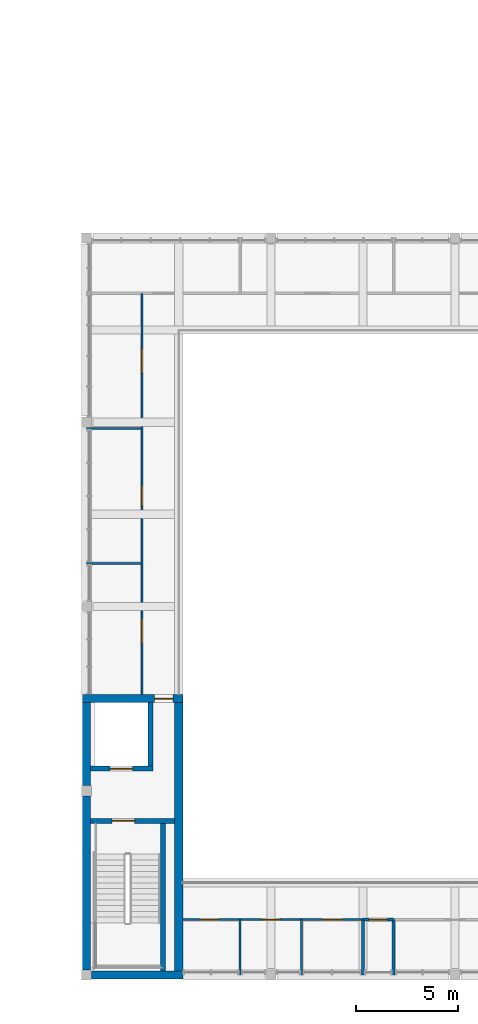
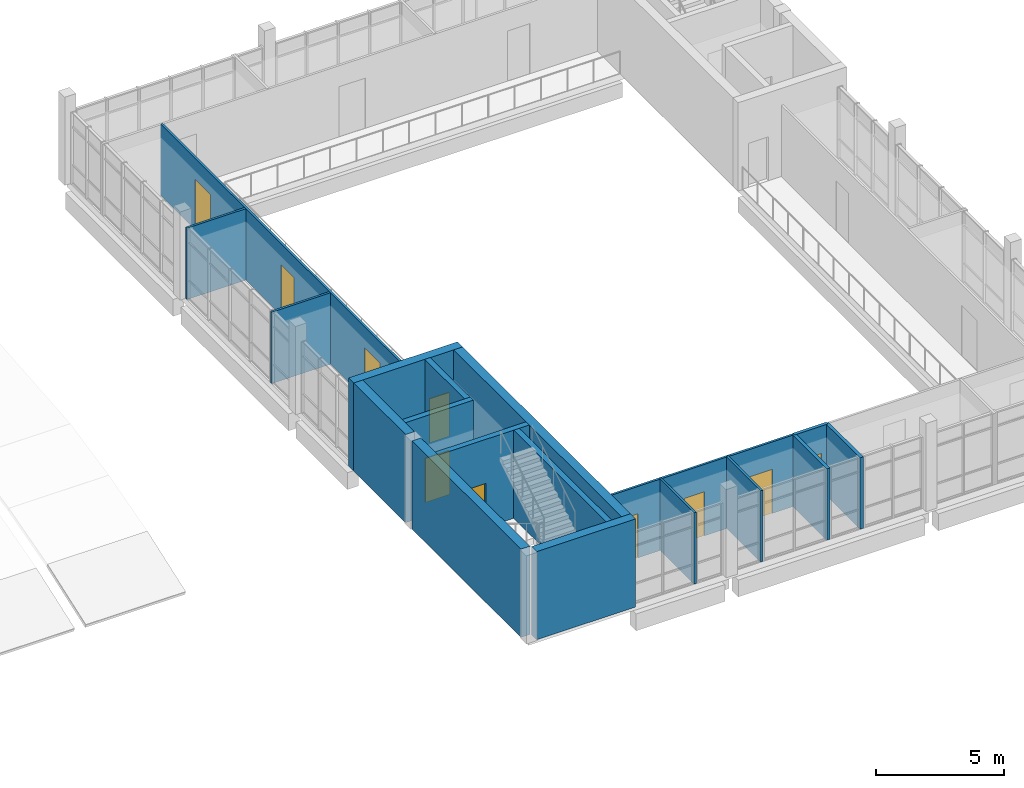
# One storey, part 41 of 74: 18 walls, 10 doors, 10 openings.
"""IFC4 building model written with IfcOpenShell, lengths in metres."""

import ifcopenshell
import ifcopenshell.guid

model = None  # the IFC model being written
_history = None  # IfcOwnerHistory: only IFC2X3 demands one
_inside = {}  # id of a spatial element -> (the spatial element, [elements in it])
_under = {}  # id of a project, library or spatial element -> (it, [spatial elements below it])
_declared = {}  # id of a project -> (the project, [libraries it declares])
_typed = {}  # id of a type object -> (the type object, [elements of that type])
_made_of = {}  # id of a material, layer set ... -> (it, [elements and type objects made of it])


def new_model(schema):
    """Start an empty IFC model of exactly this schema.

    Asked for "IFC4X3", IfcOpenShell would pick the latest addendum, in which some entities
    have other attributes; the version numbers below select the first issue.
    IFC2X3 requires an IfcOwnerHistory on every rooted entity: one is made here for all.
    """
    global model, _history
    if schema == "IFC4X3":
        model = ifcopenshell.file(schema_version=(4, 3, 0, 0))
    else:
        model = ifcopenshell.file(schema=schema)
    _inside.clear()
    _under.clear()
    _declared.clear()
    _typed.clear()
    _made_of.clear()
    _history = None
    if model.schema == "IFC2X3":
        org = make("IfcOrganization", Name="unknown")
        user = make(
            "IfcPersonAndOrganization",
            ThePerson=make("IfcPerson", FamilyName="unknown"),
            TheOrganization=org,
        )
        app = make(
            "IfcApplication",
            ApplicationDeveloper=org,
            Version="unknown",
            ApplicationFullName="unknown",
            ApplicationIdentifier="unknown",
        )
        _history = make(
            "IfcOwnerHistory",
            OwningUser=user,
            OwningApplication=app,
            ChangeAction="ADDED",
            CreationDate=0,
        )
    return model


def make(cls, **values):
    """One entity of the class cls with the attributes given. An attribute that is None is left unset."""
    return model.create_entity(
        cls, **{name: value for name, value in values.items() if value is not None}
    )


def rooted(cls, **values):
    """An entity with a GlobalId (a new one), such as an element, a storey or a relation."""
    return make(cls, GlobalId=ifcopenshell.guid.new(), OwnerHistory=_history, **values)


def si_unit(unit_type, name, prefix=None):
    """IfcSIUnit, for example si_unit("LENGTHUNIT", "METRE", prefix="MILLI")."""
    return make("IfcSIUnit", UnitType=unit_type, Prefix=prefix, Name=name)


def assignment(units):
    """IfcUnitAssignment: the units of a project."""
    return None if units is None else make("IfcUnitAssignment", Units=units)


def point(xyz):
    """IfcCartesianPoint."""
    return None if xyz is None else make("IfcCartesianPoint", Coordinates=xyz)


def direction(xyz):
    """IfcDirection."""
    return None if xyz is None else make("IfcDirection", DirectionRatios=xyz)


def frame(location, z_axis=None, x_axis=None):
    """IfcAxis2Placement3D, a coordinate frame: its origin and axes. An axis left out is left unset."""
    return make(
        "IfcAxis2Placement3D",
        Location=point(location),
        Axis=direction(z_axis),
        RefDirection=direction(x_axis),
    )


def frame_2d(location, x_axis=None):
    """IfcAxis2Placement2D, a coordinate frame in the plane: its origin and x axis."""
    return make(
        "IfcAxis2Placement2D", Location=point(location), RefDirection=direction(x_axis)
    )


def origin():
    """The frame at (0, 0, 0) with its axes left unset."""
    return frame((0.0, 0.0, 0.0))


def place(relative_to, where):
    """IfcLocalPlacement: puts the frame where relative to a parent placement (None: the world)."""
    return make(
        "IfcLocalPlacement", PlacementRelTo=relative_to, RelativePlacement=where
    )


def context(
    kind, dimensions, precision=None, world=None, true_north=None, identifier=None
):
    """IfcGeometricRepresentationContext, for example the 3D "Model" context."""
    return make(
        "IfcGeometricRepresentationContext",
        ContextIdentifier=identifier,
        ContextType=kind,
        CoordinateSpaceDimension=dimensions,
        Precision=precision,
        WorldCoordinateSystem=world,
        TrueNorth=true_north,
    )


def subcontext(parent, identifier, kind, view, scale=None):
    """IfcGeometricRepresentationSubContext, for example "Body" below "Model"."""
    return make(
        "IfcGeometricRepresentationSubContext",
        ContextIdentifier=identifier,
        ContextType=kind,
        ParentContext=parent,
        TargetScale=scale,
        TargetView=view,
    )


def project(units=None, contexts=None):
    """IfcProject with its units and contexts."""
    return rooted(
        "IfcProject",
        Name="project",
        RepresentationContexts=contexts,
        UnitsInContext=assignment(units),
    )


def spatial(cls, under=None, at=None, **own):
    """A site, building, storey or space (cls), placed at a placement, below another one or the project."""
    s = rooted(cls, ObjectPlacement=at, **own)
    if under is not None:
        _under.setdefault(under.id(), (under, []))[1].append(s)
    return s


def profile(cls, at=None, kind="AREA", **sizes):
    """A parametric profile (cls). Its sizes go by their IFC names, for example OverallWidth=200.0."""
    return make(cls, ProfileType=kind, Position=at, **sizes)


def rectangle(**sizes):
    """IfcRectangleProfileDef."""
    return profile("IfcRectangleProfileDef", **sizes)


def extrude(swept, where, along, depth):
    """IfcExtrudedAreaSolid: the profile swept, set in the frame where, extruded along a direction by depth."""
    return make(
        "IfcExtrudedAreaSolid",
        SweptArea=swept,
        Position=where,
        ExtrudedDirection=direction(along),
        Depth=depth,
    )


def shape(context_of_items, identifier, shape_type, items):
    """IfcShapeRepresentation: the items that make up one representation, for example the "Body"."""
    return make(
        "IfcShapeRepresentation",
        ContextOfItems=context_of_items,
        RepresentationIdentifier=identifier,
        RepresentationType=shape_type,
        Items=items,
    )


def material(Name=None, Category=None):
    """IfcMaterial."""
    return make("IfcMaterial", Name=Name, Category=Category)


def layer(
    of_material, thickness, ventilated=None, Name=None, Category=None, Priority=None
):
    """IfcMaterialLayer: one layer of a wall or slab, of a material (None: an air gap)."""
    return make(
        "IfcMaterialLayer",
        Material=of_material,
        LayerThickness=thickness,
        IsVentilated=ventilated,
        Name=Name,
        Category=Category,
        Priority=Priority,
    )


def layer_set(layers, Name=None):
    """IfcMaterialLayerSet."""
    return make("IfcMaterialLayerSet", MaterialLayers=layers, LayerSetName=Name)


def made_of(thing, what):
    """Note that an element or type object is made of a material, layer set ...; save() writes the relation."""
    if what is not None:
        _made_of.setdefault(what.id(), (what, []))[1].append(thing)
    return thing


def type_object(cls, material=None, **own):
    """A type object (cls), such as IfcWallType, which elements share."""
    return made_of(rooted(cls, **own), material)


def element(
    cls,
    number,
    at=None,
    inside=None,
    cuts=None,
    type_object=None,
    material=None,
    context=None,
    identifier="Body",
    shape_type=None,
    held_by="IfcProductDefinitionShape",
    body=None,
    shapes=None,
    **own,
):
    """One element of the class cls, such as IfcWall. Its Tag is "e" and its number.

    at: its placement. inside: the storey or other place that contains it. cuts: it is an
    opening in that element (IfcRelVoidsElement). A single representation is given by context,
    identifier, shape_type and body (its items); several are given by shapes. held_by: the class
    of the entity that holds the representations. save() writes the other relations.
    """
    e = rooted(cls, Tag="e%d" % number, ObjectPlacement=at, **own)
    if body is not None:
        shapes = [shape(context, identifier, shape_type, body)]
    if shapes is not None:
        e.Representation = make(held_by, Representations=shapes)
    if inside is not None:
        _inside.setdefault(inside.id(), (inside, []))[1].append(e)
    if cuts is not None:
        rooted(
            "IfcRelVoidsElement", RelatingBuildingElement=cuts, RelatedOpeningElement=e
        )
    if type_object is not None:
        _typed.setdefault(type_object.id(), (type_object, []))[1].append(e)
    return made_of(e, material)


def fill(opening, filler):
    """IfcRelFillsElement: the door or window that sits in an opening."""
    return rooted(
        "IfcRelFillsElement",
        RelatingOpeningElement=opening,
        RelatedBuildingElement=filler,
    )


def aggregate(whole, parts):
    """IfcRelAggregates: a whole, such as a stair, and the parts it consists of."""
    return rooted("IfcRelAggregates", RelatingObject=whole, RelatedObjects=parts)


def save(model, path):
    """Write the relations noted so far, then the file.

    IfcRelAggregates (storeys below a building ...), IfcRelContainedInSpatialStructure (elements
    in a storey), IfcRelDefinesByType, IfcRelAssociatesMaterial and IfcRelDeclares: one each for
    every whole, place, type object, material and project.
    """
    for whole, parts in _under.values():
        aggregate(whole, parts)
    for where, things in _inside.values():
        rooted(
            "IfcRelContainedInSpatialStructure",
            RelatedElements=things,
            RelatingStructure=where,
        )
    for kind, things in _typed.values():
        rooted("IfcRelDefinesByType", RelatedObjects=things, RelatingType=kind)
    for what, things in _made_of.values():
        rooted("IfcRelAssociatesMaterial", RelatedObjects=things, RelatingMaterial=what)
    for by, libraries in _declared.values():
        rooted("IfcRelDeclares", RelatingContext=by, RelatedDefinitions=libraries)
    model.write(path)


model = new_model("IFC4")

# Units and contexts
model_context = context("Model", 3, precision=1e-05, world=origin(), true_north=direction((0.0, 1.0)))
body_context = subcontext(model_context, "Body", "Model", "MODEL_VIEW")
ifc_project = project(units=[si_unit("LENGTHUNIT", "METRE"), si_unit("AREAUNIT", "SQUARE_METRE"), si_unit("VOLUMEUNIT", "CUBIC_METRE"), si_unit("PLANEANGLEUNIT", "RADIAN"), si_unit("MASSUNIT", "GRAM", prefix="KILO")], contexts=[model_context])

# Site, building, storey
site_placement = place(None, origin())
site = spatial("IfcSite", under=ifc_project, at=site_placement, CompositionType="ELEMENT")
building_placement = place(site_placement, origin())
building = spatial("IfcBuilding", under=site, at=building_placement, Name="Merrow Basin Faculty of Sciences", CompositionType="ELEMENT")
storey_placement = place(building_placement, frame((0.0, 0.0, 13.5)))
storey = spatial("IfcBuildingStorey", under=building, at=storey_placement, Name="L03", CompositionType="ELEMENT", Elevation=13.5)

# Wall, openings, doors
ifc_material_1 = material(Name="Gypsum board")
ifc_layer_1 = layer(ifc_material_1, 0.10009765625)
ifc_layer_set_1 = layer_set([ifc_layer_1], Name="Partition 100 gypsum board on steel studs")
wall_type_1 = type_object("IfcWallType", Name="Partition 100 gypsum board on steel studs", PredefinedType="PARTITIONING", material=ifc_layer_set_1)
wall_1_placement = place(storey_placement, frame((47.699951171875, 13.699951171875, 0.0), z_axis=(0.0, 0.0, 1.0), x_axis=(0.0, 1.0, 0.0)))
wall_1 = element("IfcWall", 1, at=wall_1_placement, inside=storey, type_object=wall_type_1, Name="IW100 L03 007", PredefinedType="PARTITIONING", context=body_context, shape_type="SweptSolid", body=[
    extrude(rectangle(XDim=19.60009765625, YDim=0.10009765625, at=frame_2d((9.800048828125, 0.0))), origin(), (0.0, 0.0, 1.0), 3.39990234375),
])
opening_1_placement = place(wall_1_placement, frame((2.5, 0.0, 0.0)))
opening_1 = element("IfcOpeningElement", 2, at=opening_1_placement, cuts=wall_1, Name="Opening D03A016", PredefinedType="OPENING", context=body_context, shape_type="SweptSolid", body=[
    extrude(rectangle(XDim=1.199951171875, YDim=2.39990234375, at=frame_2d((0.60009765625, 1.199951171875))), frame((0.0, 0.06005859375, 0.0), z_axis=(0.0, -1.0, 0.0), x_axis=(1.0, 0.0, 0.0)), (0.0, 0.0, 1.0), 0.1201171875),
])
opening_2_placement = place(wall_1_placement, frame((9.199951171875, 0.0, 0.0)))
opening_2 = element("IfcOpeningElement", 3, at=opening_2_placement, cuts=wall_1, Name="Opening D03A017", PredefinedType="OPENING", context=body_context, shape_type="SweptSolid", body=[
    extrude(rectangle(XDim=1.0, YDim=2.39990234375, at=frame_2d((0.5, 1.199951171875))), frame((0.0, 0.06005859375, 0.0), z_axis=(0.0, -1.0, 0.0), x_axis=(1.0, 0.0, 0.0)), (0.0, 0.0, 1.0), 0.1201171875),
])
opening_3_placement = place(wall_1_placement, frame((15.699951171875, 0.0, 0.0)))
opening_3 = element("IfcOpeningElement", 4, at=opening_3_placement, cuts=wall_1, Name="Opening D03A018", PredefinedType="OPENING", context=body_context, shape_type="SweptSolid", body=[
    extrude(rectangle(XDim=1.199951171875, YDim=2.39990234375, at=frame_2d((0.60009765625, 1.199951171875))), frame((0.0, 0.06005859375, 0.0), z_axis=(0.0, -1.0, 0.0), x_axis=(1.0, 0.0, 0.0)), (0.0, 0.0, 1.0), 0.1201171875),
])
ifc_material_2 = material(Name="Glazed aluminium door", Category="aluminium")
door_type_1 = type_object("IfcDoorType", Name="Glazed single door 1000 x 2400", OperationType="NOTDEFINED", PredefinedType="DOOR", material=ifc_material_2)
door_1_placement = place(opening_2_placement, origin())
door_1 = element("IfcDoor", 5, at=door_1_placement, inside=storey, type_object=door_type_1, Name="Door D03A017", OperationType="SINGLE_SWING_LEFT", OverallHeight=2.39990234375, OverallWidth=1.0, PredefinedType="DOOR", context=body_context, shape_type="SweptSolid", body=[
    extrude(rectangle(XDim=1.0, YDim=2.39990234375, at=frame_2d((0.5, 1.199951171875))), frame((0.0, 0.02490234375, 0.0), z_axis=(0.0, -1.0, 0.0), x_axis=(1.0, 0.0, 0.0)), (0.0, 0.0, 1.0), 0.050048828125),
])
fill(opening_2, door_1)
ifc_material_3 = material(Name="Glazed aluminium door", Category="aluminium")
door_type_2 = type_object("IfcDoorType", Name="Glazed single door 1200 x 2400", OperationType="NOTDEFINED", PredefinedType="DOOR", material=ifc_material_3)
door_2_placement = place(opening_1_placement, origin())
door_2 = element("IfcDoor", 6, at=door_2_placement, inside=storey, type_object=door_type_2, Name="Door D03A016", OperationType="SINGLE_SWING_LEFT", OverallHeight=2.39990234375, OverallWidth=1.199951171875, PredefinedType="DOOR", context=body_context, shape_type="SweptSolid", body=[
    extrude(rectangle(XDim=1.199951171875, YDim=2.39990234375, at=frame_2d((0.60009765625, 1.199951171875))), frame((0.0, 0.02490234375, 0.0), z_axis=(0.0, -1.0, 0.0), x_axis=(1.0, 0.0, 0.0)), (0.0, 0.0, 1.0), 0.050048828125),
])
fill(opening_1, door_2)
door_3_placement = place(opening_3_placement, origin())
door_3 = element("IfcDoor", 7, at=door_3_placement, inside=storey, type_object=door_type_2, Name="Door D03A018", OperationType="SINGLE_SWING_LEFT", OverallHeight=2.39990234375, OverallWidth=1.199951171875, PredefinedType="DOOR", context=body_context, shape_type="SweptSolid", body=[
    extrude(rectangle(XDim=1.199951171875, YDim=2.39990234375, at=frame_2d((0.60009765625, 1.199951171875))), frame((0.0, 0.02490234375, 0.0), z_axis=(0.0, -1.0, 0.0), x_axis=(1.0, 0.0, 0.0)), (0.0, 0.0, 1.0), 0.050048828125),
])
fill(opening_3, door_3)

# Walls
for number, where, z_axis, x_axis, name in (
    (8, (45.0, 20.10009765625, 0.0), (0.0, 0.0, 1.0), (1.0, 0.0, 0.0), "IW100 L03 014"),
    (9, (45.0, 26.699951171875, 0.0), (0.0, 0.0, 1.0), (1.0, 0.0, 0.0), "IW100 L03 015"),
):
    element("IfcWall", number, at=place(storey_placement, frame(where, z_axis=z_axis, x_axis=x_axis)), inside=storey, type_object=wall_type_1, Name=name, PredefinedType="PARTITIONING", context=body_context, shape_type="SweptSolid", body=[
        extrude(rectangle(XDim=2.64990234375, YDim=0.10009765625, at=frame_2d((1.324951171875, 0.0))), origin(), (0.0, 0.0, 1.0), 3.39990234375),
    ])
ifc_material_4 = material(Name="Moisture-resistant gypsum board")
ifc_layer_2 = layer(ifc_material_4, 0.10009765625)
ifc_layer_set_2 = layer_set([ifc_layer_2], Name="Partition 100 moisture-resistant board on steel studs")
wall_type_2 = type_object("IfcWallType", Name="Partition 100 moisture-resistant board on steel studs", PredefinedType="PARTITIONING", material=ifc_layer_set_2)
for number, where, z_axis, x_axis, name in (
    (10, (52.5, 0.0, 0.0), (0.0, 0.0, 1.0), (0.0, 1.0, 0.0), "IW101 L03 004"),
    (11, (55.5, 0.0, 0.0), (0.0, 0.0, 1.0), (0.0, 1.0, 0.0), "IW101 L03 005"),
):
    element("IfcWall", number, at=place(storey_placement, frame(where, z_axis=z_axis, x_axis=x_axis)), inside=storey, type_object=wall_type_2, Name=name, PredefinedType="PARTITIONING", context=body_context, shape_type="SweptSolid", body=[
        extrude(rectangle(XDim=2.699951171875, YDim=0.10009765625, at=frame_2d((1.35009765625, 0.0))), origin(), (0.0, 0.0, 1.0), 3.39990234375),
    ])

# Wall, openings, doors
wall_2_placement = place(storey_placement, frame((49.699951171875, 2.699951171875, 0.0), z_axis=(0.0, 0.0, 1.0), x_axis=(1.0, 0.0, 0.0)))
wall_2 = element("IfcWall", 12, at=wall_2_placement, inside=storey, type_object=wall_type_2, Name="IW101 L03 006", PredefinedType="PARTITIONING", context=body_context, shape_type="SweptSolid", body=[
    extrude(rectangle(XDim=8.800048828125, YDim=0.10009765625, at=frame_2d((4.39990234375, 0.0))), origin(), (0.0, 0.0, 1.0), 3.39990234375),
])
opening_4_placement = place(wall_2_placement, frame((0.85009765625, 0.0, 0.0)))
opening_4 = element("IfcOpeningElement", 13, at=opening_4_placement, cuts=wall_2, Name="Opening D03A005", PredefinedType="OPENING", context=body_context, shape_type="SweptSolid", body=[
    extrude(rectangle(XDim=0.89990234375, YDim=2.10009765625, at=frame_2d((0.449951171875, 1.050048828125))), frame((0.0, 0.06005859375, 0.0), z_axis=(0.0, -1.0, 0.0), x_axis=(1.0, 0.0, 0.0)), (0.0, 0.0, 1.0), 0.1201171875),
])
opening_5_placement = place(wall_2_placement, frame((3.85009765625, 0.0, 0.0)))
opening_5 = element("IfcOpeningElement", 14, at=opening_5_placement, cuts=wall_2, Name="Opening D03A006", PredefinedType="OPENING", context=body_context, shape_type="SweptSolid", body=[
    extrude(rectangle(XDim=0.89990234375, YDim=2.10009765625, at=frame_2d((0.449951171875, 1.050048828125))), frame((0.0, 0.06005859375, 0.0), z_axis=(0.0, -1.0, 0.0), x_axis=(1.0, 0.0, 0.0)), (0.0, 0.0, 1.0), 0.1201171875),
])
opening_6_placement = place(wall_2_placement, frame((6.800048828125, 0.0, 0.0)))
opening_6 = element("IfcOpeningElement", 15, at=opening_6_placement, cuts=wall_2, Name="Opening D03A007", PredefinedType="OPENING", context=body_context, shape_type="SweptSolid", body=[
    extrude(rectangle(XDim=1.0, YDim=2.10009765625, at=frame_2d((0.5, 1.050048828125))), frame((0.0, 0.06005859375, 0.0), z_axis=(0.0, -1.0, 0.0), x_axis=(1.0, 0.0, 0.0)), (0.0, 0.0, 1.0), 0.1201171875),
])
ifc_material_5 = material(Name="Timber door leaf", Category="wood")
door_type_3 = type_object("IfcDoorType", Name="Accessible door 1000 x 2100", OperationType="NOTDEFINED", PredefinedType="DOOR", material=ifc_material_5)
door_4_placement = place(opening_6_placement, origin())
door_4 = element("IfcDoor", 16, at=door_4_placement, inside=storey, type_object=door_type_3, Name="Door D03A007", OperationType="SINGLE_SWING_LEFT", OverallHeight=2.10009765625, OverallWidth=1.0, PredefinedType="DOOR", context=body_context, shape_type="SweptSolid", body=[
    extrude(rectangle(XDim=1.0, YDim=2.10009765625, at=frame_2d((0.5, 1.050048828125))), frame((0.0, 0.02490234375, 0.0), z_axis=(0.0, -1.0, 0.0), x_axis=(1.0, 0.0, 0.0)), (0.0, 0.0, 1.0), 0.050048828125),
])
fill(opening_6, door_4)
ifc_material_6 = material(Name="Timber door leaf", Category="wood")
door_type_4 = type_object("IfcDoorType", Name="Single swing door 900 x 2100", OperationType="NOTDEFINED", PredefinedType="DOOR", material=ifc_material_6)
door_5_placement = place(opening_4_placement, origin())
door_5 = element("IfcDoor", 17, at=door_5_placement, inside=storey, type_object=door_type_4, Name="Door D03A005", OperationType="SINGLE_SWING_LEFT", OverallHeight=2.10009765625, OverallWidth=0.89990234375, PredefinedType="DOOR", context=body_context, shape_type="SweptSolid", body=[
    extrude(rectangle(XDim=0.89990234375, YDim=2.10009765625, at=frame_2d((0.449951171875, 1.050048828125))), frame((0.0, 0.02490234375, 0.0), z_axis=(0.0, -1.0, 0.0), x_axis=(1.0, 0.0, 0.0)), (0.0, 0.0, 1.0), 0.050048828125),
])
fill(opening_4, door_5)
door_6_placement = place(opening_5_placement, origin())
door_6 = element("IfcDoor", 18, at=door_6_placement, inside=storey, type_object=door_type_4, Name="Door D03A006", OperationType="SINGLE_SWING_LEFT", OverallHeight=2.10009765625, OverallWidth=0.89990234375, PredefinedType="DOOR", context=body_context, shape_type="SweptSolid", body=[
    extrude(rectangle(XDim=0.89990234375, YDim=2.10009765625, at=frame_2d((0.449951171875, 1.050048828125))), frame((0.0, 0.02490234375, 0.0), z_axis=(0.0, -1.0, 0.0), x_axis=(1.0, 0.0, 0.0)), (0.0, 0.0, 1.0), 0.050048828125),
])
fill(opening_5, door_6)

# Wall, opening, door
ifc_material_7 = material(Name="Concrete C40/50", Category="concrete")
ifc_layer_3 = layer(ifc_material_7, 0.25)
ifc_layer_set_3 = layer_set([ifc_layer_3], Name="Shear wall 250 Concrete C40/50")
wall_type_3 = type_object("IfcWallType", Name="Shear wall 250 Concrete C40/50", PredefinedType="SHEAR", material=ifc_layer_set_3)
wall_3_placement = place(storey_placement, frame((45.199951171875, 7.52490234375, 0.0), z_axis=(0.0, 0.0, 1.0), x_axis=(1.0, 0.0, 0.0)))
wall_3 = element("IfcWall", 19, at=wall_3_placement, inside=storey, type_object=wall_type_3, Name="SW2 L03 006", PredefinedType="SHEAR", context=body_context, shape_type="SweptSolid", body=[
    extrude(rectangle(XDim=4.10009765625, YDim=0.25, at=frame_2d((2.050048828125, 0.0))), origin(), (0.0, 0.0, 1.0), 4.199951171875),
])
opening_7_placement = place(wall_3_placement, frame((1.050048828125, 0.0, 0.0)))
opening_7 = element("IfcOpeningElement", 20, at=opening_7_placement, cuts=wall_3, Name="Opening D03A001", PredefinedType="OPENING", context=body_context, shape_type="SweptSolid", body=[
    extrude(rectangle(XDim=1.10009765625, YDim=2.10009765625, at=frame_2d((0.550048828125, 1.050048828125))), frame((0.0, 0.135009765625, 0.0), z_axis=(0.0, -1.0, 0.0), x_axis=(1.0, 0.0, 0.0)), (0.0, 0.0, 1.0), 0.27001953125),
])
ifc_material_8 = material(Name="Fire-rated steel door", Category="steel")
door_type_5 = type_object("IfcDoorType", Name="Fire door FD90 1100 x 2100", OperationType="NOTDEFINED", PredefinedType="DOOR", material=ifc_material_8)
door_7_placement = place(opening_7_placement, origin())
door_7 = element("IfcDoor", 21, at=door_7_placement, inside=storey, type_object=door_type_5, Name="Door D03A001", OperationType="SINGLE_SWING_LEFT", OverallHeight=2.10009765625, OverallWidth=1.10009765625, PredefinedType="DOOR", context=body_context, shape_type="SweptSolid", body=[
    extrude(rectangle(XDim=1.10009765625, YDim=2.10009765625, at=frame_2d((0.550048828125, 1.050048828125))), frame((0.0, 0.02490234375, 0.0), z_axis=(0.0, -1.0, 0.0), x_axis=(1.0, 0.0, 0.0)), (0.0, 0.0, 1.0), 0.050048828125),
])
fill(opening_7, door_7)

# Wall
wall_4_placement = place(storey_placement, frame((48.72509765625, 0.199951171875, 0.0), z_axis=(0.0, 0.0, 1.0), x_axis=(0.0, 1.0, 0.0)))
element("IfcWall", 22, at=wall_4_placement, inside=storey, type_object=wall_type_3, Name="SW2 L03 007", PredefinedType="SHEAR", context=body_context, shape_type="SweptSolid", body=[
    extrude(rectangle(XDim=7.199951171875, YDim=0.25, at=frame_2d((3.60009765625, 0.0))), origin(), (0.0, 0.0, 1.0), 4.199951171875),
])

# Wall, opening, door
wall_5_placement = place(storey_placement, frame((45.199951171875, 10.074951171875, 0.0), z_axis=(0.0, 0.0, 1.0), x_axis=(1.0, 0.0, 0.0)))
wall_5 = element("IfcWall", 23, at=wall_5_placement, inside=storey, type_object=wall_type_3, Name="SW2 L03 008", PredefinedType="SHEAR", context=body_context, shape_type="SweptSolid", body=[
    extrude(rectangle(XDim=3.050048828125, YDim=0.25, at=frame_2d((1.52490234375, 0.0))), origin(), (0.0, 0.0, 1.0), 4.199951171875),
])
opening_8_placement = place(wall_5_placement, frame((0.949951171875, 0.0, 0.0)))
opening_8 = element("IfcOpeningElement", 24, at=opening_8_placement, cuts=wall_5, Name="Opening LD03A01", PredefinedType="OPENING", context=body_context, shape_type="SweptSolid", body=[
    extrude(rectangle(XDim=1.10009765625, YDim=2.10009765625, at=frame_2d((0.550048828125, 1.050048828125))), frame((0.0, 0.135009765625, 0.0), z_axis=(0.0, -1.0, 0.0), x_axis=(1.0, 0.0, 0.0)), (0.0, 0.0, 1.0), 0.27001953125),
])
ifc_material_9 = material(Name="Stainless steel sliding door", Category="steel")
door_type_6 = type_object("IfcDoorType", Name="Lift landing door 1100 x 2100 sliding", OperationType="NOTDEFINED", PredefinedType="DOOR", material=ifc_material_9)
door_8_placement = place(opening_8_placement, origin())
door_8 = element("IfcDoor", 25, at=door_8_placement, inside=storey, type_object=door_type_6, Name="Landing door LF9 L03", OperationType="SLIDING_TO_LEFT", OverallHeight=2.10009765625, OverallWidth=1.10009765625, PredefinedType="DOOR", context=body_context, shape_type="SweptSolid", body=[
    extrude(rectangle(XDim=1.10009765625, YDim=2.10009765625, at=frame_2d((0.550048828125, 1.050048828125))), frame((0.0, 0.02490234375, 0.0), z_axis=(0.0, -1.0, 0.0), x_axis=(1.0, 0.0, 0.0)), (0.0, 0.0, 1.0), 0.050048828125),
])
fill(opening_8, door_8)

# Walls
wall_6_placement = place(storey_placement, frame((48.125, 10.199951171875, 0.0), z_axis=(0.0, 0.0, 1.0), x_axis=(0.0, 1.0, 0.0)))
element("IfcWall", 26, at=wall_6_placement, inside=storey, type_object=wall_type_3, Name="SW2 L03 009", PredefinedType="SHEAR", context=body_context, shape_type="SweptSolid", body=[
    extrude(rectangle(XDim=3.10009765625, YDim=0.25, at=frame_2d((1.550048828125, 0.0))), origin(), (0.0, 0.0, 1.0), 4.199951171875),
])
ifc_material_10 = material(Name="Concrete C40/50", Category="concrete")
ifc_layer_4 = layer(ifc_material_10, 0.39990234375)
ifc_layer_set_4 = layer_set([ifc_layer_4], Name="Shear wall 400 Concrete C40/50")
wall_type_4 = type_object("IfcWallType", Name="Shear wall 400 Concrete C40/50", PredefinedType="SHEAR", material=ifc_layer_set_4)
wall_7_placement = place(storey_placement, frame((45.25, 0.0, 0.0), z_axis=(0.0, 0.0, 1.0), x_axis=(1.0, 0.0, 0.0)))
element("IfcWall", 27, at=wall_7_placement, inside=storey, type_object=wall_type_4, Name="SW1 L03 001", PredefinedType="SHEAR", context=body_context, shape_type="SweptSolid", body=[
    extrude(rectangle(XDim=4.449951171875, YDim=0.39990234375, at=frame_2d((2.22509765625, 0.0))), origin(), (0.0, 0.0, 1.0), 4.199951171875),
])

# Wall, opening, door
wall_8_placement = place(storey_placement, frame((44.800048828125, 13.5, 0.0), z_axis=(0.0, 0.0, 1.0), x_axis=(1.0, 0.0, 0.0)))
wall_8 = element("IfcWall", 28, at=wall_8_placement, inside=storey, type_object=wall_type_4, Name="SW1 L03 002", PredefinedType="SHEAR", context=body_context, shape_type="SweptSolid", body=[
    extrude(rectangle(XDim=4.89990234375, YDim=0.39990234375, at=frame_2d((2.449951171875, 0.0))), origin(), (0.0, 0.0, 1.0), 4.199951171875),
])
opening_9_placement = place(wall_8_placement, frame((3.52490234375, 0.0, 0.0)))
opening_9 = element("IfcOpeningElement", 29, at=opening_9_placement, cuts=wall_8, Name="Opening D03A002", PredefinedType="OPENING", context=body_context, shape_type="SweptSolid", body=[
    extrude(rectangle(XDim=0.89990234375, YDim=2.10009765625, at=frame_2d((0.449951171875, 1.050048828125))), frame((0.0, 0.2099609375, 0.0), z_axis=(0.0, -1.0, 0.0), x_axis=(1.0, 0.0, 0.0)), (0.0, 0.0, 1.0), 0.419921875),
])
ifc_material_11 = material(Name="Fire-rated steel door", Category="steel")
door_type_7 = type_object("IfcDoorType", Name="Fire door FD60 900 x 2100", OperationType="NOTDEFINED", PredefinedType="DOOR", material=ifc_material_11)
door_9_placement = place(opening_9_placement, origin())
door_9 = element("IfcDoor", 30, at=door_9_placement, inside=storey, type_object=door_type_7, Name="Door D03A002", OperationType="SINGLE_SWING_RIGHT", OverallHeight=2.10009765625, OverallWidth=0.89990234375, PredefinedType="DOOR", context=body_context, shape_type="SweptSolid", body=[
    extrude(rectangle(XDim=0.89990234375, YDim=2.10009765625, at=frame_2d((0.449951171875, 1.050048828125))), frame((0.0, 0.02490234375, 0.0), z_axis=(0.0, -1.0, 0.0), x_axis=(1.0, 0.0, 0.0)), (0.0, 0.0, 1.0), 0.050048828125),
])
fill(opening_9, door_9)

# Walls
wall_9_placement = place(storey_placement, frame((45.0, 0.25, 0.0), z_axis=(0.0, 0.0, 1.0), x_axis=(0.0, 1.0, 0.0)))
element("IfcWall", 31, at=wall_9_placement, inside=storey, type_object=wall_type_4, Name="SW1 L03 003", PredefinedType="SHEAR", context=body_context, shape_type="SweptSolid", body=[
    extrude(rectangle(XDim=8.5, YDim=0.39990234375, at=frame_2d((4.25, 0.0))), origin(), (0.0, 0.0, 1.0), 4.199951171875),
])
wall_10_placement = place(storey_placement, frame((45.0, 9.25, 0.0), z_axis=(0.0, 0.0, 1.0), x_axis=(0.0, 1.0, 0.0)))
element("IfcWall", 32, at=wall_10_placement, inside=storey, type_object=wall_type_4, Name="SW1 L03 004", PredefinedType="SHEAR", context=body_context, shape_type="SweptSolid", body=[
    extrude(rectangle(XDim=4.050048828125, YDim=0.39990234375, at=frame_2d((2.02490234375, 0.0))), origin(), (0.0, 0.0, 1.0), 4.199951171875),
])
wall_11_placement = place(storey_placement, frame((49.5, 0.199951171875, 0.0), z_axis=(0.0, 0.0, 1.0), x_axis=(0.0, 1.0, 0.0)))
element("IfcWall", 33, at=wall_11_placement, inside=storey, type_object=wall_type_4, Name="SW1 L03 005", PredefinedType="SHEAR", context=body_context, shape_type="SweptSolid", body=[
    extrude(rectangle(XDim=13.10009765625, YDim=0.39990234375, at=frame_2d((6.550048828125, 0.0))), origin(), (0.0, 0.0, 1.0), 4.199951171875),
])
ifc_material_12 = material(Name="Fire-rated gypsum board")
ifc_layer_5 = layer(ifc_material_12, 0.14990234375)
ifc_layer_set_5 = layer_set([ifc_layer_5], Name="Store partition 150 fire-rated board on steel studs")
wall_type_5 = type_object("IfcWallType", Name="Store partition 150 fire-rated board on steel studs", PredefinedType="PARTITIONING", material=ifc_layer_set_5)
for number, where, z_axis, x_axis, name in (
    (34, (58.5, 0.0, 0.0), (0.0, 0.0, 1.0), (0.0, 1.0, 0.0), "IW152 L03 001"),
    (35, (60.0, 0.0, 0.0), (0.0, 0.0, 1.0), (0.0, 1.0, 0.0), "IW152 L03 002"),
):
    element("IfcWall", number, at=place(storey_placement, frame(where, z_axis=z_axis, x_axis=x_axis)), inside=storey, type_object=wall_type_5, Name=name, PredefinedType="PARTITIONING", context=body_context, shape_type="SweptSolid", body=[
        extrude(rectangle(XDim=2.699951171875, YDim=0.14990234375, at=frame_2d((1.35009765625, 0.0))), origin(), (0.0, 0.0, 1.0), 3.39990234375),
    ])

# Wall, opening, door
wall_12_placement = place(storey_placement, frame((58.5, 2.699951171875, 0.0), z_axis=(0.0, 0.0, 1.0), x_axis=(1.0, 0.0, 0.0)))
wall_12 = element("IfcWall", 36, at=wall_12_placement, inside=storey, type_object=wall_type_5, Name="IW152 L03 003", PredefinedType="PARTITIONING", context=body_context, shape_type="SweptSolid", body=[
    extrude(rectangle(XDim=1.5, YDim=0.14990234375, at=frame_2d((0.75, 0.0))), origin(), (0.0, 0.0, 1.0), 3.39990234375),
])
opening_10_placement = place(wall_12_placement, frame((0.300048828125, 0.0, 0.0)))
opening_10 = element("IfcOpeningElement", 37, at=opening_10_placement, cuts=wall_12, Name="Opening D03A008", PredefinedType="OPENING", context=body_context, shape_type="SweptSolid", body=[
    extrude(rectangle(XDim=0.89990234375, YDim=2.10009765625, at=frame_2d((0.449951171875, 1.050048828125))), frame((0.0, 0.0849609375, 0.0), z_axis=(0.0, -1.0, 0.0), x_axis=(1.0, 0.0, 0.0)), (0.0, 0.0, 1.0), 0.169921875),
])
door_10_placement = place(opening_10_placement, origin())
door_10 = element("IfcDoor", 38, at=door_10_placement, inside=storey, type_object=door_type_7, Name="Door D03A008", OperationType="SINGLE_SWING_LEFT", OverallHeight=2.10009765625, OverallWidth=0.89990234375, PredefinedType="DOOR", context=body_context, shape_type="SweptSolid", body=[
    extrude(rectangle(XDim=0.89990234375, YDim=2.10009765625, at=frame_2d((0.449951171875, 1.050048828125))), frame((0.0, 0.02490234375, 0.0), z_axis=(0.0, -1.0, 0.0), x_axis=(1.0, 0.0, 0.0)), (0.0, 0.0, 1.0), 0.050048828125),
])
fill(opening_10, door_10)

save(model, "model.ifc")
